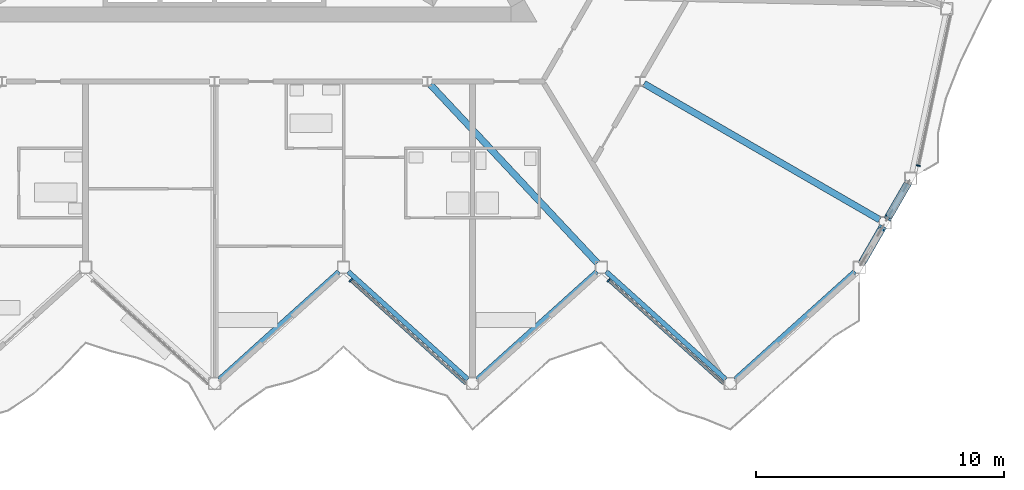
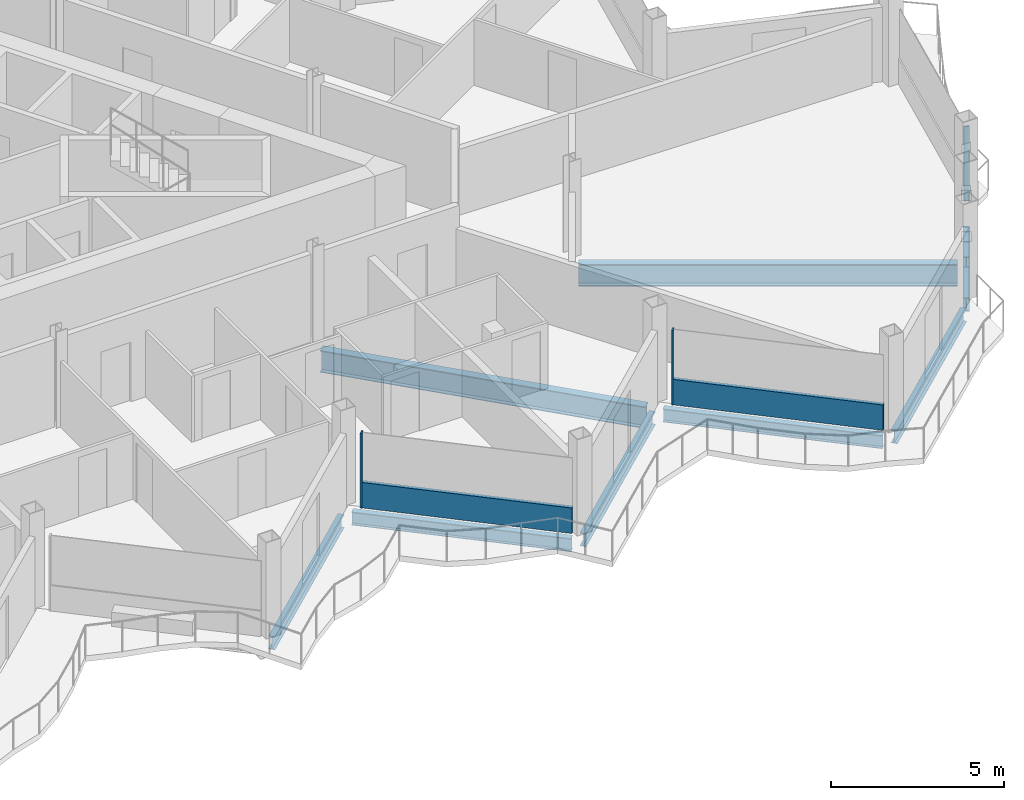
# One storey, part 7 of 25: 9 beams, 7 members, 3 elements without a shape of their own.
"""IFC4 building model written with IfcOpenShell, lengths in metres."""

from ifc_helpers import new_model, si_unit, direction, frame, origin, origin_2d, place, context, subcontext, project, spatial, rectangle, hollow_rectangle, i_section, extrude, material, layer, layer_set, material_profile, profile_set, type_object, element, aggregate, save


model = new_model("IFC4")

# Units and contexts
model_context = context("Model", 3, precision=1e-05, world=origin(), true_north=direction((0.0, 1.0)))
body_context = subcontext(model_context, "Body", "Model", "MODEL_VIEW")
ifc_project = project(units=[si_unit("LENGTHUNIT", "METRE"), si_unit("AREAUNIT", "SQUARE_METRE"), si_unit("VOLUMEUNIT", "CUBIC_METRE"), si_unit("PLANEANGLEUNIT", "RADIAN"), si_unit("MASSUNIT", "GRAM", prefix="KILO")], contexts=[model_context])

# Site, building, storey
site_placement = place(None, origin())
site = spatial("IfcSite", under=ifc_project, at=site_placement, CompositionType="ELEMENT")
building_placement = place(site_placement, origin())
building = spatial("IfcBuilding", under=site, at=building_placement, Name="Cormorant Prow Tower", CompositionType="ELEMENT")
storey_placement = place(building_placement, frame((0.0, 0.0, 395.0)))
storey = spatial("IfcBuildingStorey", under=building, at=storey_placement, Name="L90", CompositionType="ELEMENT", Elevation=395.0)

# Members
ifc_material_1 = material(Name="Structural steel ASTM A500 Gr C", Category="steel")
ifc_material_profile_1 = material_profile(ifc_material_1, hollow_rectangle(XDim=0.3046875, YDim=0.3046875, WallThickness=0.01171875, at=origin_2d()), Name="HSS12x12x1/2")
ifc_profile_set_1 = profile_set([ifc_material_profile_1], Name="Structural steel ASTM A500 Gr C")
member_type_1 = type_object("IfcMemberType", Name="Chamfer brace HSS12x12x1/2", PredefinedType="BRACE", material=ifc_profile_set_1)
member_1_placement = place(storey_placement, frame((26.91357421875, -15.823486328125, 0.7705078125), z_axis=(-0.411298537745, -0.71230756954, 0.568727913175), x_axis=(0.866000359435, -0.500043375578, 0.0)))
element("IfcMember", 1, at=member_1_placement, inside=storey, type_object=member_type_1, Name="Chamfer brace BR3 at ESE00 L90", PredefinedType="BRACE", context=body_context, shape_type="SweptSolid", body=[
    extrude(hollow_rectangle(XDim=0.3046875, YDim=0.3046875, WallThickness=0.01171875, at=origin_2d()), origin(), (0.0, 0.0, 1.0), 1.92138671875),
])
member_2_placement = place(storey_placement, frame((27.950439453125, -14.027587890625, 0.7705078125), z_axis=(-0.411230183851, -0.712282194217, 0.568809117095), x_axis=(0.866028632512, -0.499994407638, 0.0)))
element("IfcMember", 2, at=member_2_placement, inside=storey, type_object=member_type_1, Name="Chamfer brace BR3 at ESE01 L90", PredefinedType="BRACE", context=body_context, shape_type="SweptSolid", body=[
    extrude(hollow_rectangle(XDim=0.3046875, YDim=0.3046875, WallThickness=0.01171875, at=origin_2d()), origin(), (0.0, 0.0, 1.0), 1.921142578125),
])

# Beams
ifc_material_2 = material(Name="Structural steel ASTM A992 Gr 50", Category="steel")
ifc_material_profile_2 = material_profile(ifc_material_2, i_section(OverallWidth=0.267822265625, OverallDepth=0.77001953125, WebThickness=0.015625, FlangeThickness=0.025390625, at=origin_2d()), Name="W30x132")
ifc_profile_set_2 = profile_set([ifc_material_profile_2], Name="Structural steel ASTM A992 Gr 50")
beam_type_1 = type_object("IfcBeamType", Name="Radial floor beam W30x132", PredefinedType="BEAM", material=ifc_profile_set_2)
beam_1_placement = place(storey_placement, frame((8.706298828125, -10.0419921875, -0.68505859375), z_axis=(0.683430760659, -0.730015339144, 0.0), x_axis=(0.730015339144, 0.683430760659, 0.0)))
element("IfcBeam", 3, at=beam_1_placement, inside=storey, type_object=beam_type_1, Name="Radial floor beam FB3 8 L90", PredefinedType="BEAM", context=body_context, shape_type="SweptSolid", body=[
    extrude(i_section(OverallWidth=0.267822265625, OverallDepth=0.77001953125, WebThickness=0.015625, FlangeThickness=0.025390625, at=origin_2d()), origin(), (0.0, 0.0, 1.0), 9.8369140625),
])
beam_2_placement = place(storey_placement, frame((17.31884765625, -9.9990234375, -0.68505859375), z_axis=(0.866018830095, -0.500011385791, 0.0), x_axis=(0.500011385791, 0.866018830095, 0.0)))
element("IfcBeam", 4, at=beam_2_placement, inside=storey, type_object=beam_type_1, Name="Radial floor beam FB3 9 L90", PredefinedType="BEAM", context=body_context, shape_type="SweptSolid", body=[
    extrude(i_section(OverallWidth=0.267822265625, OverallDepth=0.77001953125, WebThickness=0.015625, FlangeThickness=0.025390625, at=origin_2d()), origin(), (0.0, 0.0, 1.0), 10.971435546875),
])

# Curtain wall, member
ifc_material_3 = material(Name="Aluminium 6063-T6", Category="aluminium")
ifc_layer = layer(ifc_material_3, 0.159912109375)
ifc_layer_set = layer_set([ifc_layer], Name="Aluminium 6063-T6")
curtain_wall_type = type_object("IfcCurtainWallType", Name="Residential unitised curtain wall 160", PredefinedType="NOTDEFINED", material=ifc_layer_set)
curtain_wall_1_placement = place(storey_placement, origin())
curtain_wall_1 = element("IfcCurtainWall", 5, at=curtain_wall_1_placement, inside=storey, type_object=curtain_wall_type, Name="Residential curtain wall S06", PredefinedType="NOTDEFINED")
ifc_material_4 = material(Name="Aluminium 6063-T6", Category="aluminium")
ifc_material_profile_3 = material_profile(ifc_material_4, rectangle(XDim=0.159912109375, YDim=0.050048828125, at=origin_2d()), Name="Residential mullion 50x160")
ifc_profile_set_3 = profile_set([ifc_material_profile_3], Name="Aluminium 6063-T6")
member_type_2 = type_object("IfcMemberType", Name="Residential mullion 50x160", PredefinedType="MULLION", material=ifc_profile_set_3)
member_3_placement = place(storey_placement, frame((5.490478515625, -17.926513671875, 0.0), z_axis=(0.0, 0.0, 1.0), x_axis=(0.669130603959, 0.743144827638, 0.0)))
member_3 = element("IfcMember", 6, at=member_3_placement, type_object=member_type_2, Name="Residential mullion S06", PredefinedType="MULLION", context=body_context, shape_type="SweptSolid", body=[
    extrude(rectangle(XDim=0.159912109375, YDim=0.050048828125, at=origin_2d()), origin(), (0.0, 0.0, 1.0), 2.6337890625),
])

curtain_wall_2_placement = place(storey_placement, origin())
curtain_wall_2 = element("IfcCurtainWall", 7, at=curtain_wall_2_placement, inside=storey, type_object=curtain_wall_type, Name="Residential curtain wall S08", PredefinedType="NOTDEFINED")
member_4_placement = place(storey_placement, frame((15.890625, -17.926513671875, 0.0), z_axis=(0.0, 0.0, 1.0), x_axis=(0.669130603959, 0.743144827638, 0.0)))
member_4 = element("IfcMember", 8, at=member_4_placement, type_object=member_type_2, Name="Residential mullion S08", PredefinedType="MULLION", context=body_context, shape_type="SweptSolid", body=[
    extrude(rectangle(XDim=0.159912109375, YDim=0.050048828125, at=origin_2d()), origin(), (0.0, 0.0, 1.0), 2.6337890625),
])

curtain_wall_3_placement = place(storey_placement, origin())
curtain_wall_3 = element("IfcCurtainWall", 9, at=curtain_wall_3_placement, inside=storey, type_object=curtain_wall_type, Name="Residential curtain wall ENE00", PredefinedType="NOTDEFINED")
member_5_placement = place(storey_placement, frame((28.37939453125, -13.3017578125, 0.0), z_axis=(0.0, 0.0, 1.0), x_axis=(-0.978147615768, 0.207911620089, 0.0)))
member_5 = element("IfcMember", 10, at=member_5_placement, type_object=member_type_2, Name="Residential mullion ENE00", PredefinedType="MULLION", context=body_context, shape_type="SweptSolid", body=[
    extrude(rectangle(XDim=0.159912109375, YDim=0.050048828125, at=origin_2d()), origin(), (0.0, 0.0, 1.0), 2.6337890625),
])
aggregate(curtain_wall_3, [member_5])

# Member
ifc_material_5 = material(Name="Terracotta", Category="masonry")
ifc_material_profile_4 = material_profile(ifc_material_5, rectangle(XDim=0.1201171875, YDim=0.89990234375, at=origin_2d()), Name="Residential terracotta spandrel rail 120x900")
ifc_profile_set_4 = profile_set([ifc_material_profile_4], Name="Terracotta")
member_type_3 = type_object("IfcMemberType", Name="Residential terracotta spandrel rail 120x900", PredefinedType="USERDEFINED", material=ifc_profile_set_4)
member_6_placement = place(storey_placement, frame((5.509033203125, -17.943115234375, 0.449951171875), z_axis=(0.743139827378, -0.669136157269, 0.0), x_axis=(0.669136157269, 0.743139827378, 0.0)))
member_6 = element("IfcMember", 11, at=member_6_placement, type_object=member_type_3, Name="Residential spandrel rail S06", ObjectType="TRANSOM", PredefinedType="USERDEFINED", context=body_context, shape_type="SweptSolid", body=[
    extrude(rectangle(XDim=0.1201171875, YDim=0.89990234375, at=origin_2d()), origin(), (0.0, 0.0, 1.0), 6.21533203125),
])

aggregate(curtain_wall_1, [member_3, member_6])

member_7_placement = place(storey_placement, frame((15.9091796875, -17.943115234375, 0.449951171875), z_axis=(0.743139827378, -0.669136157269, 0.0), x_axis=(0.669136157269, 0.743139827378, 0.0)))
member_7 = element("IfcMember", 12, at=member_7_placement, type_object=member_type_3, Name="Residential spandrel rail S08", ObjectType="TRANSOM", PredefinedType="USERDEFINED", context=body_context, shape_type="SweptSolid", body=[
    extrude(rectangle(XDim=0.1201171875, YDim=0.89990234375, at=origin_2d()), origin(), (0.0, 0.0, 1.0), 6.21533203125),
])

aggregate(curtain_wall_2, [member_4, member_7])

# Beams
ifc_material_6 = material(Name="Structural steel ASTM A992 Gr 50", Category="steel")
ifc_material_profile_5 = material_profile(ifc_material_6, i_section(OverallWidth=0.19287109375, OverallDepth=0.466064453125, WebThickness=0.011474609375, FlangeThickness=0.01904296875, at=origin_2d()), Name="W18x65")
ifc_profile_set_5 = profile_set([ifc_material_profile_5], Name="Structural steel ASTM A992 Gr 50")
beam_type_2 = type_object("IfcBeamType", Name="Spandrel beam W18x65", PredefinedType="SPANDREL", material=ifc_profile_set_5)
for number, where, z_axis, x_axis, name in (
    (13, (0.185791015625, -21.920654296875, -0.532958984375), (0.743131573737, 0.669145323614, 0.0), (-0.669145323614, 0.743131573737, 0.0), "Spandrel beam SB4 S05-S06 L90"),
    (14, (5.3857421875, -17.572998046875, -0.532958984375), (0.743131573737, -0.669145323614, 0.0), (0.669145323614, 0.743131573737, 0.0), "Spandrel beam SB4 S06-S07 L90"),
):
    element("IfcBeam", number, at=place(storey_placement, frame(where, z_axis=z_axis, x_axis=x_axis)), inside=storey, type_object=beam_type_2, Name=name, PredefinedType="SPANDREL", context=body_context, shape_type="SweptSolid", body=[
        extrude(i_section(OverallWidth=0.19287109375, OverallDepth=0.466064453125, WebThickness=0.011474609375, FlangeThickness=0.01904296875, at=origin_2d()), origin(), (0.0, 0.0, 1.0), 6.497314453125),
    ])
beam_3_placement = place(storey_placement, frame((10.585693359375, -21.920654296875, -0.532958984375), z_axis=(0.743148397689, 0.669126638995, 0.0), x_axis=(-0.669126638995, 0.743148397689, 0.0)))
element("IfcBeam", 15, at=beam_3_placement, inside=storey, type_object=beam_type_2, Name="Spandrel beam SB4 S07-S08 L90", PredefinedType="SPANDREL", context=body_context, shape_type="SweptSolid", body=[
    extrude(i_section(OverallWidth=0.19287109375, OverallDepth=0.466064453125, WebThickness=0.011474609375, FlangeThickness=0.01904296875, at=origin_2d()), origin(), (0.0, 0.0, 1.0), 6.49755859375),
])
for number, where, z_axis, x_axis, name in (
    (16, (15.785888671875, -17.572998046875, -0.532958984375), (0.743131573737, -0.669145323614, 0.0), (0.669145323614, 0.743131573737, 0.0), "Spandrel beam SB4 S08-S09 L90"),
    (17, (20.98583984375, -21.920654296875, -0.532958984375), (0.743131573737, 0.669145323614, 0.0), (-0.669145323614, 0.743131573737, 0.0), "Spandrel beam SB4 S09-ESE00 L90"),
):
    element("IfcBeam", number, at=place(storey_placement, frame(where, z_axis=z_axis, x_axis=x_axis)), inside=storey, type_object=beam_type_2, Name=name, PredefinedType="SPANDREL", context=body_context, shape_type="SweptSolid", body=[
        extrude(i_section(OverallWidth=0.19287109375, OverallDepth=0.466064453125, WebThickness=0.011474609375, FlangeThickness=0.01904296875, at=origin_2d()), origin(), (0.0, 0.0, 1.0), 6.497314453125),
    ])
for number, where, z_axis, x_axis, name in (
    (18, (26.125, -17.189208984375, -0.532958984375), (0.499959680857, 0.866048680801, 0.0), (-0.866048680801, 0.499959680857, 0.0), "Spandrel beam SB4 ESE00-ESE01 L90"),
    (19, (27.161865234375, -15.393310546875, -0.532958984375), (0.499959680857, 0.866048680801, 0.0), (-0.866048680801, 0.499959680857, 0.0), "Spandrel beam SB4 ESE01-ENE00 L90"),
):
    element("IfcBeam", number, at=place(storey_placement, frame(where, z_axis=z_axis, x_axis=x_axis)), inside=storey, type_object=beam_type_2, Name=name, PredefinedType="SPANDREL", context=body_context, shape_type="SweptSolid", body=[
        extrude(i_section(OverallWidth=0.19287109375, OverallDepth=0.466064453125, WebThickness=0.011474609375, FlangeThickness=0.01904296875, at=origin_2d()), origin(), (0.0, 0.0, 1.0), 1.573974609375),
    ])

save(model, "model.ifc")
